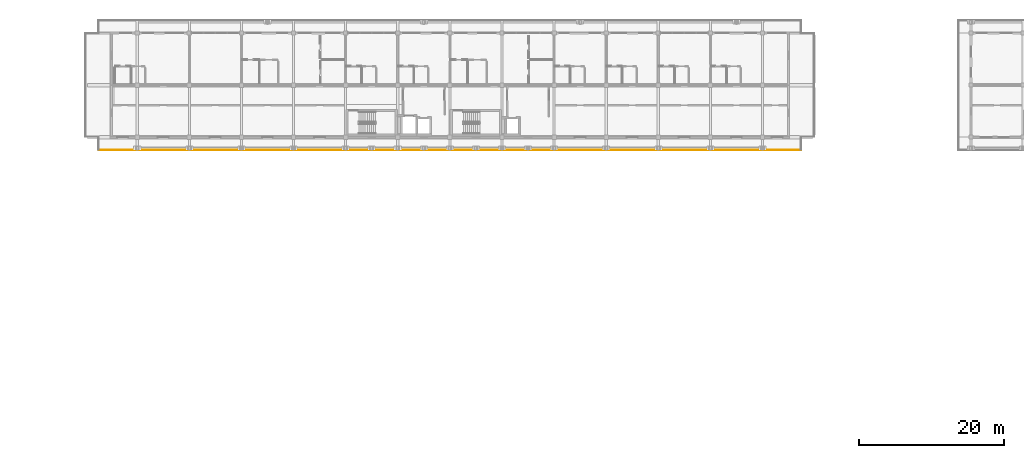
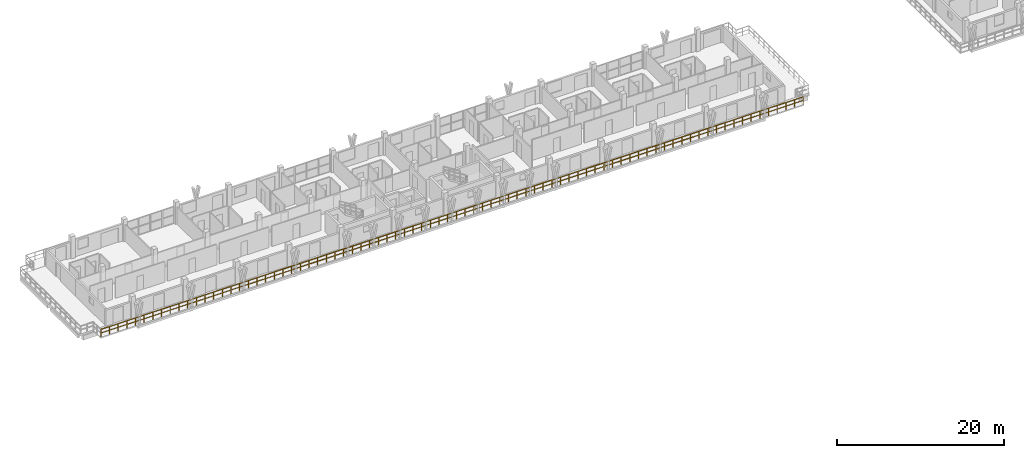
# One storey, part 58 of 67: 1 railing.
"""IFC4 building model written with IfcOpenShell, lengths in metres."""

from ifc_helpers import new_model, si_unit, direction, frame, origin, origin_2d, place, context, subcontext, project, spatial, rectangle, extrude, material, type_object, element, save


model = new_model("IFC4")

# Units and contexts
model_context = context("Model", 3, precision=1e-05, world=origin(), true_north=direction((0.0, 1.0)))
body_context = subcontext(model_context, "Body", "Model", "MODEL_VIEW")
ifc_project = project(units=[si_unit("LENGTHUNIT", "METRE"), si_unit("AREAUNIT", "SQUARE_METRE"), si_unit("VOLUMEUNIT", "CUBIC_METRE"), si_unit("PLANEANGLEUNIT", "RADIAN"), si_unit("MASSUNIT", "GRAM", prefix="KILO")], contexts=[model_context])

# Site, building, storey
site_placement = place(None, origin())
site = spatial("IfcSite", under=ifc_project, at=site_placement, CompositionType="ELEMENT")
building_placement = place(site_placement, origin())
building = spatial("IfcBuilding", under=site, at=building_placement, Name="Suanplinth Sawtooth Commons", CompositionType="ELEMENT")
storey_placement = place(building_placement, frame((0.0, 0.0, 25.10009765625)))
storey = spatial("IfcBuildingStorey", under=building, at=storey_placement, Name="L07", CompositionType="ELEMENT", Elevation=25.10009765625)

# Railing
ifc_material = material(Name="Powder-coated galvanized steel", Category="steel")
railing_type = type_object("IfcRailingType", Name="GR-01", PredefinedType="BALUSTRADE", material=ifc_material)
railing_placement = place(storey_placement, frame((106.139892578125, 106.260009765625, 0.0)))
element("IfcRailing", 1, at=railing_placement, inside=storey, type_object=railing_type, Name="L07 Block A Perimeter Balustrade 11", PredefinedType="BALUSTRADE", context=body_context, shape_type="SweptSolid", body=[
    extrude(rectangle(XDim=0.048095703125, YDim=0.048095703125, at=origin_2d()), frame((0.0, 0.0, 1.09619140625), z_axis=(-1.0, 0.0, 0.0), x_axis=(0.0, -1.0, 0.0)), (0.0, 0.0, 1.0), 97.079833984375),
    extrude(rectangle(XDim=0.03369140625, YDim=0.03369140625, at=origin_2d()), frame((0.0, 0.0, 0.56005859375), z_axis=(-1.0, 0.0, 0.0), x_axis=(0.0, -1.0, 0.0)), (0.0, 0.0, 1.0), 97.079833984375),
    extrude(rectangle(XDim=0.0419921875, YDim=0.0419921875, at=origin_2d()), origin(), (0.0, 0.0, 1.0), 1.072021484375),
    extrude(rectangle(XDim=0.0419921875, YDim=0.0419921875, at=origin_2d()), frame((-1.198486328125, 0.0, 0.0)), (0.0, 0.0, 1.0), 1.072021484375),
    extrude(rectangle(XDim=0.0419921875, YDim=0.0419921875, at=origin_2d()), frame((-2.39697265625, 0.0, 0.0)), (0.0, 0.0, 1.0), 1.072021484375),
    extrude(rectangle(XDim=0.0419921875, YDim=0.0419921875, at=origin_2d()), frame((-3.595458984375, 0.0, 0.0)), (0.0, 0.0, 1.0), 1.072021484375),
    extrude(rectangle(XDim=0.0419921875, YDim=0.0419921875, at=origin_2d()), frame((-4.7939453125, 0.0, 0.0)), (0.0, 0.0, 1.0), 1.072021484375),
    extrude(rectangle(XDim=0.0419921875, YDim=0.0419921875, at=origin_2d()), frame((-5.99267578125, 0.0, 0.0)), (0.0, 0.0, 1.0), 1.072021484375),
    extrude(rectangle(XDim=0.0419921875, YDim=0.0419921875, at=origin_2d()), frame((-7.191162109375, 0.0, 0.0)), (0.0, 0.0, 1.0), 1.072021484375),
    extrude(rectangle(XDim=0.0419921875, YDim=0.0419921875, at=origin_2d()), frame((-8.3896484375, 0.0, 0.0)), (0.0, 0.0, 1.0), 1.072021484375),
    extrude(rectangle(XDim=0.0419921875, YDim=0.0419921875, at=origin_2d()), frame((-9.588134765625, 0.0, 0.0)), (0.0, 0.0, 1.0), 1.072021484375),
    extrude(rectangle(XDim=0.0419921875, YDim=0.0419921875, at=origin_2d()), frame((-10.78662109375, 0.0, 0.0)), (0.0, 0.0, 1.0), 1.072021484375),
    extrude(rectangle(XDim=0.0419921875, YDim=0.0419921875, at=origin_2d()), frame((-11.985107421875, 0.0, 0.0)), (0.0, 0.0, 1.0), 1.072021484375),
    extrude(rectangle(XDim=0.0419921875, YDim=0.0419921875, at=origin_2d()), frame((-13.18359375, 0.0, 0.0)), (0.0, 0.0, 1.0), 1.072021484375),
    extrude(rectangle(XDim=0.0419921875, YDim=0.0419921875, at=origin_2d()), frame((-14.382080078125, 0.0, 0.0)), (0.0, 0.0, 1.0), 1.072021484375),
    extrude(rectangle(XDim=0.0419921875, YDim=0.0419921875, at=origin_2d()), frame((-15.580810546875, 0.0, 0.0)), (0.0, 0.0, 1.0), 1.072021484375),
    extrude(rectangle(XDim=0.0419921875, YDim=0.0419921875, at=origin_2d()), frame((-16.779296875, 0.0, 0.0)), (0.0, 0.0, 1.0), 1.072021484375),
    extrude(rectangle(XDim=0.0419921875, YDim=0.0419921875, at=origin_2d()), frame((-17.977783203125, 0.0, 0.0)), (0.0, 0.0, 1.0), 1.072021484375),
    extrude(rectangle(XDim=0.0419921875, YDim=0.0419921875, at=origin_2d()), frame((-19.17626953125, 0.0, 0.0)), (0.0, 0.0, 1.0), 1.072021484375),
    extrude(rectangle(XDim=0.0419921875, YDim=0.0419921875, at=origin_2d()), frame((-20.374755859375, 0.0, 0.0)), (0.0, 0.0, 1.0), 1.072021484375),
    extrude(rectangle(XDim=0.0419921875, YDim=0.0419921875, at=origin_2d()), frame((-21.5732421875, 0.0, 0.0)), (0.0, 0.0, 1.0), 1.072021484375),
    extrude(rectangle(XDim=0.0419921875, YDim=0.0419921875, at=origin_2d()), frame((-22.771728515625, 0.0, 0.0)), (0.0, 0.0, 1.0), 1.072021484375),
    extrude(rectangle(XDim=0.0419921875, YDim=0.0419921875, at=origin_2d()), frame((-23.97021484375, 0.0, 0.0)), (0.0, 0.0, 1.0), 1.072021484375),
    extrude(rectangle(XDim=0.0419921875, YDim=0.0419921875, at=origin_2d()), frame((-25.1689453125, 0.0, 0.0)), (0.0, 0.0, 1.0), 1.072021484375),
    extrude(rectangle(XDim=0.0419921875, YDim=0.0419921875, at=origin_2d()), frame((-26.367431640625, 0.0, 0.0)), (0.0, 0.0, 1.0), 1.072021484375),
    extrude(rectangle(XDim=0.0419921875, YDim=0.0419921875, at=origin_2d()), frame((-27.56591796875, 0.0, 0.0)), (0.0, 0.0, 1.0), 1.072021484375),
    extrude(rectangle(XDim=0.0419921875, YDim=0.0419921875, at=origin_2d()), frame((-28.764404296875, 0.0, 0.0)), (0.0, 0.0, 1.0), 1.072021484375),
    extrude(rectangle(XDim=0.0419921875, YDim=0.0419921875, at=origin_2d()), frame((-29.962890625, 0.0, 0.0)), (0.0, 0.0, 1.0), 1.072021484375),
    extrude(rectangle(XDim=0.0419921875, YDim=0.0419921875, at=origin_2d()), frame((-31.161376953125, 0.0, 0.0)), (0.0, 0.0, 1.0), 1.072021484375),
    extrude(rectangle(XDim=0.0419921875, YDim=0.0419921875, at=origin_2d()), frame((-32.35986328125, 0.0, 0.0)), (0.0, 0.0, 1.0), 1.072021484375),
    extrude(rectangle(XDim=0.0419921875, YDim=0.0419921875, at=origin_2d()), frame((-33.558349609375, 0.0, 0.0)), (0.0, 0.0, 1.0), 1.072021484375),
    extrude(rectangle(XDim=0.0419921875, YDim=0.0419921875, at=origin_2d()), frame((-34.757080078125, 0.0, 0.0)), (0.0, 0.0, 1.0), 1.072021484375),
    extrude(rectangle(XDim=0.0419921875, YDim=0.0419921875, at=origin_2d()), frame((-35.95556640625, 0.0, 0.0)), (0.0, 0.0, 1.0), 1.072021484375),
    extrude(rectangle(XDim=0.0419921875, YDim=0.0419921875, at=origin_2d()), frame((-37.154052734375, 0.0, 0.0)), (0.0, 0.0, 1.0), 1.072021484375),
    extrude(rectangle(XDim=0.0419921875, YDim=0.0419921875, at=origin_2d()), frame((-38.3525390625, 0.0, 0.0)), (0.0, 0.0, 1.0), 1.072021484375),
    extrude(rectangle(XDim=0.0419921875, YDim=0.0419921875, at=origin_2d()), frame((-39.551025390625, 0.0, 0.0)), (0.0, 0.0, 1.0), 1.072021484375),
    extrude(rectangle(XDim=0.0419921875, YDim=0.0419921875, at=origin_2d()), frame((-40.74951171875, 0.0, 0.0)), (0.0, 0.0, 1.0), 1.072021484375),
    extrude(rectangle(XDim=0.0419921875, YDim=0.0419921875, at=origin_2d()), frame((-41.947998046875, 0.0, 0.0)), (0.0, 0.0, 1.0), 1.072021484375),
    extrude(rectangle(XDim=0.0419921875, YDim=0.0419921875, at=origin_2d()), frame((-43.146484375, 0.0, 0.0)), (0.0, 0.0, 1.0), 1.072021484375),
    extrude(rectangle(XDim=0.0419921875, YDim=0.0419921875, at=origin_2d()), frame((-44.34521484375, 0.0, 0.0)), (0.0, 0.0, 1.0), 1.072021484375),
    extrude(rectangle(XDim=0.0419921875, YDim=0.0419921875, at=origin_2d()), frame((-45.543701171875, 0.0, 0.0)), (0.0, 0.0, 1.0), 1.072021484375),
    extrude(rectangle(XDim=0.0419921875, YDim=0.0419921875, at=origin_2d()), frame((-46.7421875, 0.0, 0.0)), (0.0, 0.0, 1.0), 1.072021484375),
    extrude(rectangle(XDim=0.0419921875, YDim=0.0419921875, at=origin_2d()), frame((-47.940673828125, 0.0, 0.0)), (0.0, 0.0, 1.0), 1.072021484375),
    extrude(rectangle(XDim=0.0419921875, YDim=0.0419921875, at=origin_2d()), frame((-49.13916015625, 0.0, 0.0)), (0.0, 0.0, 1.0), 1.072021484375),
    extrude(rectangle(XDim=0.0419921875, YDim=0.0419921875, at=origin_2d()), frame((-50.337646484375, 0.0, 0.0)), (0.0, 0.0, 1.0), 1.072021484375),
    extrude(rectangle(XDim=0.0419921875, YDim=0.0419921875, at=origin_2d()), frame((-51.5361328125, 0.0, 0.0)), (0.0, 0.0, 1.0), 1.072021484375),
    extrude(rectangle(XDim=0.0419921875, YDim=0.0419921875, at=origin_2d()), frame((-52.734619140625, 0.0, 0.0)), (0.0, 0.0, 1.0), 1.072021484375),
    extrude(rectangle(XDim=0.0419921875, YDim=0.0419921875, at=origin_2d()), frame((-53.933349609375, 0.0, 0.0)), (0.0, 0.0, 1.0), 1.072021484375),
    extrude(rectangle(XDim=0.0419921875, YDim=0.0419921875, at=origin_2d()), frame((-55.1318359375, 0.0, 0.0)), (0.0, 0.0, 1.0), 1.072021484375),
    extrude(rectangle(XDim=0.0419921875, YDim=0.0419921875, at=origin_2d()), frame((-56.330322265625, 0.0, 0.0)), (0.0, 0.0, 1.0), 1.072021484375),
    extrude(rectangle(XDim=0.0419921875, YDim=0.0419921875, at=origin_2d()), frame((-57.52880859375, 0.0, 0.0)), (0.0, 0.0, 1.0), 1.072021484375),
    extrude(rectangle(XDim=0.0419921875, YDim=0.0419921875, at=origin_2d()), frame((-58.727294921875, 0.0, 0.0)), (0.0, 0.0, 1.0), 1.072021484375),
    extrude(rectangle(XDim=0.0419921875, YDim=0.0419921875, at=origin_2d()), frame((-59.92578125, 0.0, 0.0)), (0.0, 0.0, 1.0), 1.072021484375),
    extrude(rectangle(XDim=0.0419921875, YDim=0.0419921875, at=origin_2d()), frame((-61.124267578125, 0.0, 0.0)), (0.0, 0.0, 1.0), 1.072021484375),
    extrude(rectangle(XDim=0.0419921875, YDim=0.0419921875, at=origin_2d()), frame((-62.32275390625, 0.0, 0.0)), (0.0, 0.0, 1.0), 1.072021484375),
    extrude(rectangle(XDim=0.0419921875, YDim=0.0419921875, at=origin_2d()), frame((-63.521484375, 0.0, 0.0)), (0.0, 0.0, 1.0), 1.072021484375),
    extrude(rectangle(XDim=0.0419921875, YDim=0.0419921875, at=origin_2d()), frame((-64.719970703125, 0.0, 0.0)), (0.0, 0.0, 1.0), 1.072021484375),
    extrude(rectangle(XDim=0.0419921875, YDim=0.0419921875, at=origin_2d()), frame((-65.91845703125, 0.0, 0.0)), (0.0, 0.0, 1.0), 1.072021484375),
    extrude(rectangle(XDim=0.0419921875, YDim=0.0419921875, at=origin_2d()), frame((-67.116943359375, 0.0, 0.0)), (0.0, 0.0, 1.0), 1.072021484375),
    extrude(rectangle(XDim=0.0419921875, YDim=0.0419921875, at=origin_2d()), frame((-68.3154296875, 0.0, 0.0)), (0.0, 0.0, 1.0), 1.072021484375),
    extrude(rectangle(XDim=0.0419921875, YDim=0.0419921875, at=origin_2d()), frame((-69.513916015625, 0.0, 0.0)), (0.0, 0.0, 1.0), 1.072021484375),
    extrude(rectangle(XDim=0.0419921875, YDim=0.0419921875, at=origin_2d()), frame((-70.71240234375, 0.0, 0.0)), (0.0, 0.0, 1.0), 1.072021484375),
    extrude(rectangle(XDim=0.0419921875, YDim=0.0419921875, at=origin_2d()), frame((-71.910888671875, 0.0, 0.0)), (0.0, 0.0, 1.0), 1.072021484375),
    extrude(rectangle(XDim=0.0419921875, YDim=0.0419921875, at=origin_2d()), frame((-73.109619140625, 0.0, 0.0)), (0.0, 0.0, 1.0), 1.072021484375),
    extrude(rectangle(XDim=0.0419921875, YDim=0.0419921875, at=origin_2d()), frame((-74.30810546875, 0.0, 0.0)), (0.0, 0.0, 1.0), 1.072021484375),
    extrude(rectangle(XDim=0.0419921875, YDim=0.0419921875, at=origin_2d()), frame((-75.506591796875, 0.0, 0.0)), (0.0, 0.0, 1.0), 1.072021484375),
    extrude(rectangle(XDim=0.0419921875, YDim=0.0419921875, at=origin_2d()), frame((-76.705078125, 0.0, 0.0)), (0.0, 0.0, 1.0), 1.072021484375),
    extrude(rectangle(XDim=0.0419921875, YDim=0.0419921875, at=origin_2d()), frame((-77.903564453125, 0.0, 0.0)), (0.0, 0.0, 1.0), 1.072021484375),
    extrude(rectangle(XDim=0.0419921875, YDim=0.0419921875, at=origin_2d()), frame((-79.10205078125, 0.0, 0.0)), (0.0, 0.0, 1.0), 1.072021484375),
    extrude(rectangle(XDim=0.0419921875, YDim=0.0419921875, at=origin_2d()), frame((-80.300537109375, 0.0, 0.0)), (0.0, 0.0, 1.0), 1.072021484375),
    extrude(rectangle(XDim=0.0419921875, YDim=0.0419921875, at=origin_2d()), frame((-81.4990234375, 0.0, 0.0)), (0.0, 0.0, 1.0), 1.072021484375),
    extrude(rectangle(XDim=0.0419921875, YDim=0.0419921875, at=origin_2d()), frame((-82.69775390625, 0.0, 0.0)), (0.0, 0.0, 1.0), 1.072021484375),
    extrude(rectangle(XDim=0.0419921875, YDim=0.0419921875, at=origin_2d()), frame((-83.896240234375, 0.0, 0.0)), (0.0, 0.0, 1.0), 1.072021484375),
    extrude(rectangle(XDim=0.0419921875, YDim=0.0419921875, at=origin_2d()), frame((-85.0947265625, 0.0, 0.0)), (0.0, 0.0, 1.0), 1.072021484375),
    extrude(rectangle(XDim=0.0419921875, YDim=0.0419921875, at=origin_2d()), frame((-86.293212890625, 0.0, 0.0)), (0.0, 0.0, 1.0), 1.072021484375),
    extrude(rectangle(XDim=0.0419921875, YDim=0.0419921875, at=origin_2d()), frame((-87.49169921875, 0.0, 0.0)), (0.0, 0.0, 1.0), 1.072021484375),
    extrude(rectangle(XDim=0.0419921875, YDim=0.0419921875, at=origin_2d()), frame((-88.690185546875, 0.0, 0.0)), (0.0, 0.0, 1.0), 1.072021484375),
    extrude(rectangle(XDim=0.0419921875, YDim=0.0419921875, at=origin_2d()), frame((-89.888671875, 0.0, 0.0)), (0.0, 0.0, 1.0), 1.072021484375),
    extrude(rectangle(XDim=0.0419921875, YDim=0.0419921875, at=origin_2d()), frame((-91.087158203125, 0.0, 0.0)), (0.0, 0.0, 1.0), 1.072021484375),
    extrude(rectangle(XDim=0.0419921875, YDim=0.0419921875, at=origin_2d()), frame((-92.285888671875, 0.0, 0.0)), (0.0, 0.0, 1.0), 1.072021484375),
    extrude(rectangle(XDim=0.0419921875, YDim=0.0419921875, at=origin_2d()), frame((-93.484375, 0.0, 0.0)), (0.0, 0.0, 1.0), 1.072021484375),
    extrude(rectangle(XDim=0.0419921875, YDim=0.0419921875, at=origin_2d()), frame((-94.682861328125, 0.0, 0.0)), (0.0, 0.0, 1.0), 1.072021484375),
    extrude(rectangle(XDim=0.0419921875, YDim=0.0419921875, at=origin_2d()), frame((-95.88134765625, 0.0, 0.0)), (0.0, 0.0, 1.0), 1.072021484375),
    extrude(rectangle(XDim=0.0419921875, YDim=0.0419921875, at=origin_2d()), frame((-97.079833984375, 0.0, 0.0)), (0.0, 0.0, 1.0), 1.072021484375),
])

save(model, "model.ifc")
